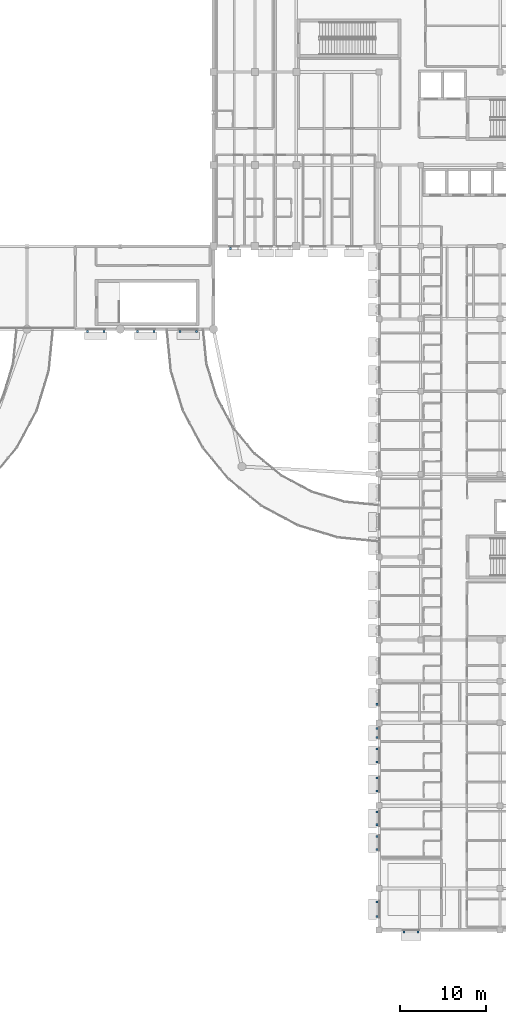
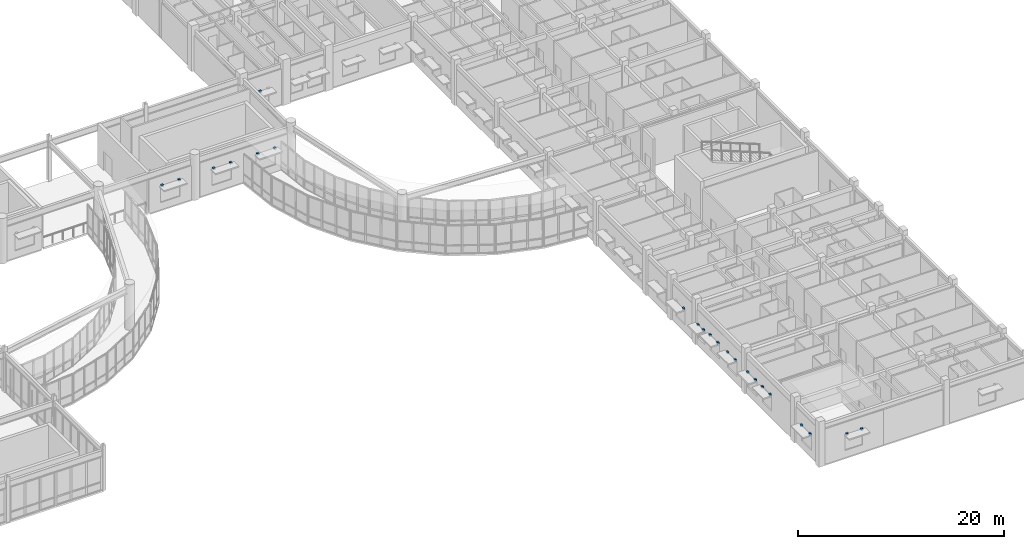
# One storey, part 60 of 68: 22 discrete accessories.
"""IFC4 building model written with IfcOpenShell, lengths in metres."""

from ifc_helpers import new_model, si_unit, direction, frame, origin, origin_2d, place, context, subcontext, project, spatial, rectangle, extrude, material, type_object, element, save


model = new_model("IFC4")

# Units and contexts
model_context = context("Model", 3, precision=1e-05, world=origin(), true_north=direction((0.0, 1.0)))
body_context = subcontext(model_context, "Body", "Model", "MODEL_VIEW")
ifc_project = project(units=[si_unit("LENGTHUNIT", "METRE"), si_unit("AREAUNIT", "SQUARE_METRE"), si_unit("VOLUMEUNIT", "CUBIC_METRE"), si_unit("PLANEANGLEUNIT", "RADIAN"), si_unit("MASSUNIT", "GRAM", prefix="KILO")], contexts=[model_context])

# Site, building, storey
site_placement = place(None, origin())
site = spatial("IfcSite", under=ifc_project, at=site_placement, CompositionType="ELEMENT")
building_placement = place(site_placement, origin())
building = spatial("IfcBuilding", under=site, at=building_placement, Name="Veldera Park Congress Hotel", CompositionType="ELEMENT")
storey_placement = place(building_placement, frame((0.0, 0.0, 10.800048828125)))
storey = spatial("IfcBuildingStorey", under=building, at=storey_placement, Name="L02", CompositionType="ELEMENT", Elevation=10.800048828125)

# Discrete accessories
ifc_material = material(Name="Steel ASTM A992 Gr.50", Category="steel")
discrete_accessory_type = type_object("IfcDiscreteAccessoryType", Name="ACC-BRK160", PredefinedType="BRACKET", material=ifc_material)
for number, where, z_axis, x_axis, name in (
    (1, (27.013427734375, 17.14990234375, 2.81982421875), (0.0, 0.0, 1.0), (1.0, 0.0, 0.0), "Shading Steel Outrigger Bracket 72L"),
    (2, (28.91357421875, 17.14990234375, 2.81982421875), (0.0, 0.0, 1.0), (1.0, 0.0, 0.0), "Shading Steel Outrigger Bracket 72R"),
    (3, (32.78662109375, 17.14990234375, 2.81982421875), (0.0, 0.0, 1.0), (1.0, 0.0, 0.0), "Shading Steel Outrigger Bracket 73L"),
    (4, (34.6865234375, 17.14990234375, 2.81982421875), (0.0, 0.0, 1.0), (1.0, 0.0, 0.0), "Shading Steel Outrigger Bracket 73R"),
    (5, (37.71337890625, 17.14990234375, 2.81982421875), (0.0, 0.0, 1.0), (1.0, 0.0, 0.0), "Shading Steel Outrigger Bracket 74L"),
    (6, (39.613525390625, 17.14990234375, 2.81982421875), (0.0, 0.0, 1.0), (1.0, 0.0, 0.0), "Shading Steel Outrigger Bracket 74R"),
    (7, (63.65625, -52.449951171875, 2.7197265625), (0.0, 0.0, 1.0), (1.0, 0.0, 0.0), "Shading Steel Outrigger Bracket 125L"),
    (8, (65.30615234375, -52.449951171875, 2.7197265625), (0.0, 0.0, 1.0), (1.0, 0.0, 0.0), "Shading Steel Outrigger Bracket 125R"),
    (9, (43.550048828125, 26.75, 2.3701171875), (0.0, 0.0, 1.0), (1.0, 0.0, 0.0), "Shading Steel Outrigger Bracket 131L"),
    (10, (60.550048828125, -48.97509765625, 2.7197265625), (0.0, 0.0, 1.0), (0.0, -1.0, 0.0), "Shading Steel Outrigger Bracket 133L"),
    (11, (60.550048828125, -50.625, 2.7197265625), (0.0, 0.0, 1.0), (0.0, -1.0, 0.0), "Shading Steel Outrigger Bracket 133R"),
    (12, (60.550048828125, -41.3701171875, 2.669921875), (0.0, 0.0, 1.0), (0.0, -1.0, 0.0), "Shading Steel Outrigger Bracket 279L"),
    (13, (60.550048828125, -42.8701171875, 2.669921875), (0.0, 0.0, 1.0), (0.0, -1.0, 0.0), "Shading Steel Outrigger Bracket 279R"),
    (14, (60.550048828125, -38.509033203125, 2.669921875), (0.0, 0.0, 1.0), (0.0, -1.0, 0.0), "Shading Steel Outrigger Bracket 280L"),
    (15, (60.550048828125, -40.009033203125, 2.669921875), (0.0, 0.0, 1.0), (0.0, -1.0, 0.0), "Shading Steel Outrigger Bracket 280R"),
    (16, (60.550048828125, -34.610107421875, 2.669921875), (0.0, 0.0, 1.0), (0.0, -1.0, 0.0), "Shading Steel Outrigger Bracket 281L"),
    (17, (60.550048828125, -36.110107421875, 2.669921875), (0.0, 0.0, 1.0), (0.0, -1.0, 0.0), "Shading Steel Outrigger Bracket 281R"),
    (18, (60.550048828125, -31.22998046875, 2.669921875), (0.0, 0.0, 1.0), (0.0, -1.0, 0.0), "Shading Steel Outrigger Bracket 282L"),
    (19, (60.550048828125, -32.72998046875, 2.669921875), (0.0, 0.0, 1.0), (0.0, -1.0, 0.0), "Shading Steel Outrigger Bracket 282R"),
    (20, (60.550048828125, -28.864013671875, 2.4697265625), (0.0, 0.0, 1.0), (0.0, -1.0, 0.0), "Shading Steel Outrigger Bracket 283L"),
    (21, (60.550048828125, -29.9140625, 2.4697265625), (0.0, 0.0, 1.0), (0.0, -1.0, 0.0), "Shading Steel Outrigger Bracket 283R"),
    (22, (60.550048828125, -26.049072265625, 2.669921875), (0.0, 0.0, 1.0), (0.0, -1.0, 0.0), "Shading Steel Outrigger Bracket 284R"),
):
    element("IfcDiscreteAccessory", number, at=place(storey_placement, frame(where, z_axis=z_axis, x_axis=x_axis)), inside=storey, type_object=discrete_accessory_type, Name=name, PredefinedType="BRACKET", context=body_context, shape_type="SweptSolid", body=[
        extrude(rectangle(XDim=0.239990234375, YDim=0.239990234375, at=origin_2d()), origin(), (0.0, 0.0, 1.0), 0.219970703125),
    ])

save(model, "model.ifc")
